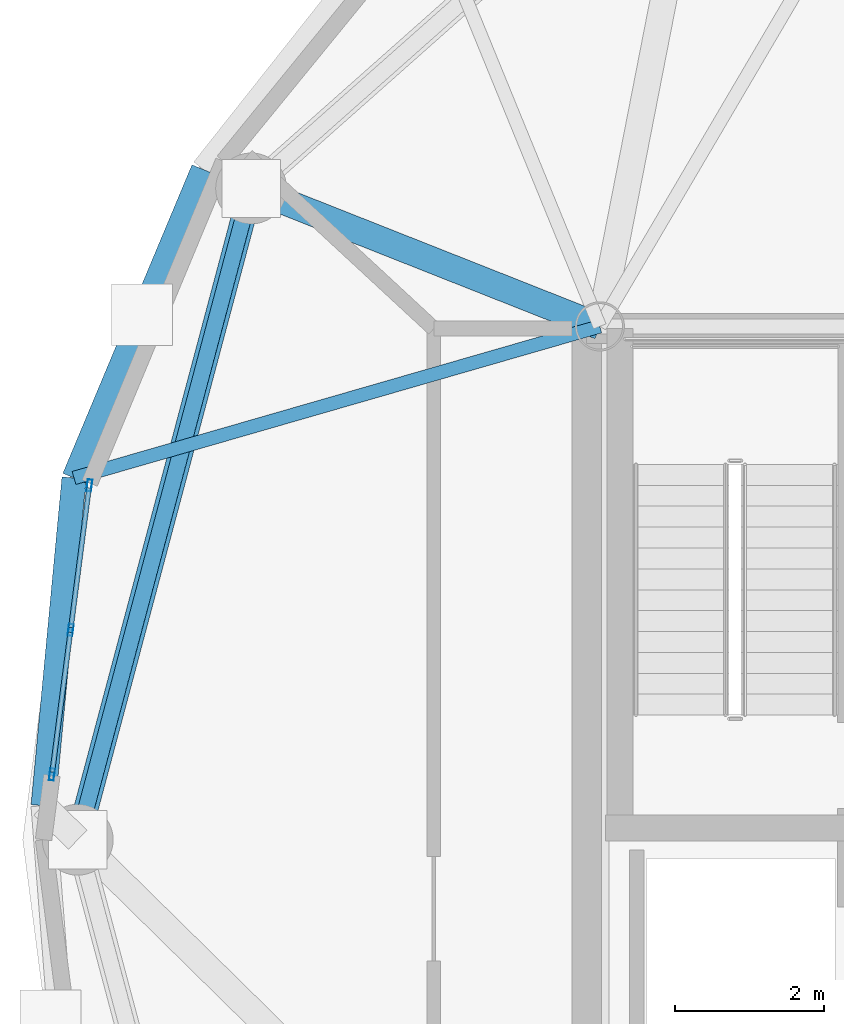
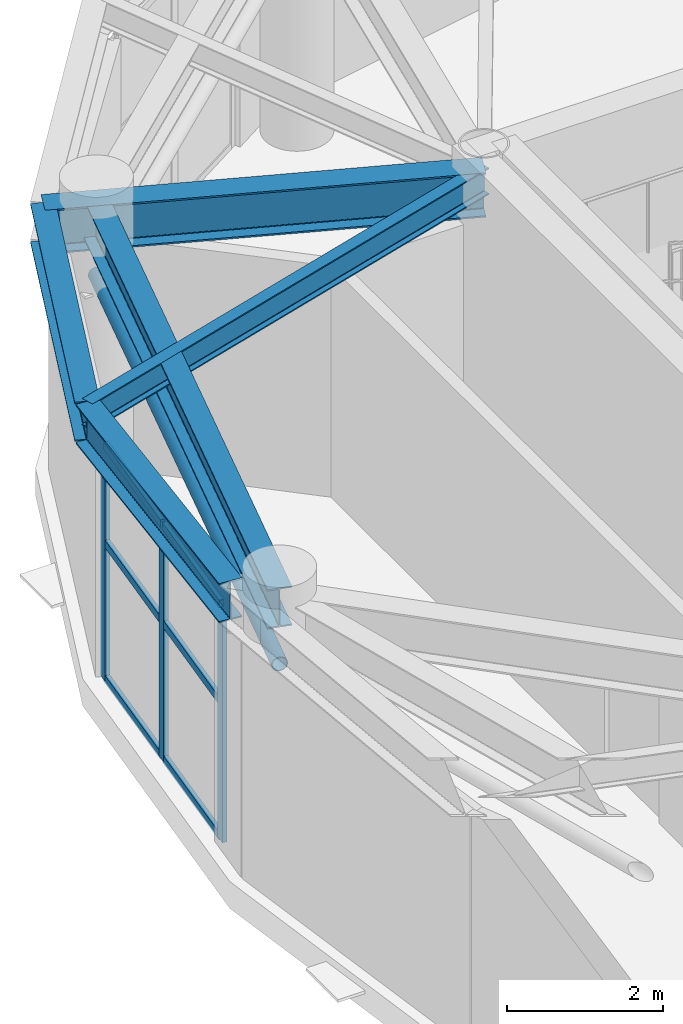
# One storey, part 7 of 28: 10 members, 5 beams, 1 element without a shape of its own.
"""IFC4 building model written with IfcOpenShell, lengths in metres."""

from ifc_helpers import new_model, si_unit, direction, frame, origin, origin_2d, place, context, subcontext, project, spatial, hollow_rectangle, hollow_circle, i_section, extrude, material, layer, layer_set, material_profile, profile_set, type_object, element, aggregate, save


model = new_model("IFC4")

# Units and contexts
model_context = context("Model", 3, precision=1e-05, world=origin(), true_north=direction((0.0, 1.0)))
body_context = subcontext(model_context, "Body", "Model", "MODEL_VIEW")
ifc_project = project(units=[si_unit("LENGTHUNIT", "METRE"), si_unit("AREAUNIT", "SQUARE_METRE"), si_unit("VOLUMEUNIT", "CUBIC_METRE"), si_unit("PLANEANGLEUNIT", "RADIAN"), si_unit("MASSUNIT", "GRAM", prefix="KILO")], contexts=[model_context])

# Site, building, storey
site_placement = place(None, origin())
site = spatial("IfcSite", under=ifc_project, at=site_placement, CompositionType="ELEMENT")
building_placement = place(site_placement, origin())
building = spatial("IfcBuilding", under=site, at=building_placement, Name="Cununo Teusaquillo Station Towers", CompositionType="ELEMENT")
storey_placement = place(building_placement, frame((0.0, 0.0, 235.64990234375)))
storey = spatial("IfcBuildingStorey", under=building, at=storey_placement, Name="L75", CompositionType="ELEMENT", Elevation=235.64990234375)

# Beams
ifc_material_1 = material(Name="Steel ASTM A572 Grade 50", Category="steel")
ifc_material_profile_1 = material_profile(ifc_material_1, i_section(OverallWidth=0.180908203125, OverallDepth=0.4169921875, WebThickness=0.010986328125, FlangeThickness=0.018310546875, FilletRadius=0.012939453125, at=origin_2d()), Name="W16X57")
ifc_profile_set_1 = profile_set([ifc_material_profile_1], Name="Steel ASTM A572 Grade 50")
beam_type_1 = type_object("IfcBeamType", Name="BM-JOIST-1", PredefinedType="JOIST", material=ifc_profile_set_1)
beam_1_placement = place(storey_placement, frame((11.324951171875, 31.3798828125, 4.131591796875), z_axis=(-0.960861603375, -0.277028841748, 0.0), x_axis=(0.277028841748, -0.960861603375, 0.0)))
element("IfcBeam", 1, at=beam_1_placement, inside=storey, type_object=beam_type_1, Name="L75 Tower A Radial Spandrel Joist V09", PredefinedType="JOIST", context=body_context, shape_type="SweptSolid", body=[
    extrude(i_section(OverallWidth=0.180908203125, OverallDepth=0.4169921875, WebThickness=0.010986328125, FlangeThickness=0.018310546875, FilletRadius=0.012939453125, at=origin_2d()), origin(), (0.0, 0.0, 1.0), 7.333251953125),
])
ifc_material_2 = material(Name="Steel ASTM A572 Grade 50", Category="steel")
ifc_material_profile_2 = material_profile(ifc_material_2, i_section(OverallWidth=0.35498046875, OverallDepth=0.696044921875, WebThickness=0.015380859375, FlangeThickness=0.02490234375, FilletRadius=0.01806640625, at=origin_2d()), Name="W27X146")
ifc_profile_set_2 = profile_set([ifc_material_profile_2], Name="Steel ASTM A572 Grade 50")
beam_type_2 = type_object("IfcBeamType", Name="BM-PLNT-G1", PredefinedType="BEAM", material=ifc_profile_set_2)
beam_2_placement = place(storey_placement, frame((11.324951171875, 31.3798828125, 3.9921875), z_axis=(-0.929851670487, 0.36793460138, 0.0), x_axis=(-0.36793460138, -0.929851670487, 0.0)))
element("IfcBeam", 2, at=beam_2_placement, inside=storey, type_object=beam_type_2, Name="L75 Tower A Continuous Overhanging Radial Girder 05", PredefinedType="BEAM", context=body_context, shape_type="SweptSolid", body=[
    extrude(i_section(OverallWidth=0.35498046875, OverallDepth=0.696044921875, WebThickness=0.015380859375, FlangeThickness=0.02490234375, FilletRadius=0.01806640625, at=origin_2d()), origin(), (0.0, 0.0, 1.0), 5.71630859375),
])
ifc_material_3 = material(Name="Steel ASTM A572 Grade 50", Category="steel")
ifc_material_profile_3 = material_profile(ifc_material_3, i_section(OverallWidth=0.324951171875, OverallDepth=0.615966796875, WebThickness=0.013916015625, FlangeThickness=0.021484375, FilletRadius=0.01611328125, at=origin_2d()), Name="W24X117")
ifc_profile_set_3 = profile_set([ifc_material_profile_3], Name="Steel ASTM A572 Grade 50")
beam_type_3 = type_object("IfcBeamType", Name="BM-PLNT-G2", PredefinedType="BEAM", material=ifc_profile_set_3)
beam_3_placement = place(storey_placement, frame((6.652587890625, 33.228515625, 4.031982421875), z_axis=(-0.257363196347, -0.966314744359, 0.0), x_axis=(0.966314744359, -0.257363196347, 0.0)))
element("IfcBeam", 3, at=beam_3_placement, inside=storey, type_object=beam_type_3, Name="L75 Tower A Structural Column Ring Girder 05", PredefinedType="BEAM", context=body_context, shape_type="SweptSolid", body=[
    extrude(i_section(OverallWidth=0.324951171875, OverallDepth=0.615966796875, WebThickness=0.013916015625, FlangeThickness=0.021484375, FilletRadius=0.01611328125, at=origin_2d()), origin(), (0.0, 0.0, 1.0), 9.03271484375),
])
beam_4_placement = place(storey_placement, frame((6.009521484375, 33.483154296875, 4.031982421875), z_axis=(-0.386115454066, -0.922450462698, 0.0), x_axis=(0.922450462698, -0.386115454066, 0.0)))
element("IfcBeam", 4, at=beam_4_placement, inside=storey, type_object=beam_type_3, Name="L75 Tower A Spandrel Ring Beam 09", PredefinedType="BEAM", context=body_context, shape_type="SweptSolid", body=[
    extrude(i_section(OverallWidth=0.324951171875, OverallDepth=0.615966796875, WebThickness=0.013916015625, FlangeThickness=0.021484375, FilletRadius=0.01611328125, at=origin_2d()), origin(), (0.0, 0.0, 1.0), 4.482421875),
])
beam_5_placement = place(storey_placement, frame((4.27880859375, 29.348388671875, 4.031982421875), z_axis=(-0.093902932611, -0.995581357422, 0.0), x_axis=(0.995581357422, -0.093902932611, 0.0)))
element("IfcBeam", 5, at=beam_5_placement, inside=storey, type_object=beam_type_3, Name="L75 Tower A Spandrel Ring Beam 10", PredefinedType="BEAM", context=body_context, shape_type="SweptSolid", body=[
    extrude(i_section(OverallWidth=0.324951171875, OverallDepth=0.615966796875, WebThickness=0.013916015625, FlangeThickness=0.021484375, FilletRadius=0.01611328125, at=origin_2d()), origin(), (0.0, 0.0, 1.0), 4.412109375),
])

# Curtain wall, members
ifc_material_4 = material(Name="Ceramic-fritted dark low-E double glazing", Category="glass")
ifc_layer = layer(ifc_material_4, 0.179931640625)
ifc_layer_set = layer_set([ifc_layer], Name="Ceramic-fritted dark low-E double glazing")
curtain_wall_type = type_object("IfcCurtainWallType", Name="CW-SYS-08", PredefinedType="USERDEFINED", material=ifc_layer_set)
curtain_wall_placement = place(storey_placement, origin())
curtain_wall = element("IfcCurtainWall", 6, at=curtain_wall_placement, inside=storey, type_object=curtain_wall_type, Name="L75 Tower A Crown Drum Glazed Screen C09", ObjectType="FRITTED GLAZING", PredefinedType="USERDEFINED")
ifc_material_5 = material(Name="Anodised dark bronze aluminium EN AW-6063-T6", Category="aluminium")
ifc_material_profile_4 = material_profile(ifc_material_5, hollow_rectangle(XDim=0.06494140625, YDim=0.159912109375, WallThickness=0.00390625, at=origin_2d()), Name="CW-MULL-65x160")
ifc_profile_set_4 = profile_set([ifc_material_profile_4], Name="Anodised dark bronze aluminium EN AW-6063-T6")
member_type_1 = type_object("IfcMemberType", Name="CWM-160", PredefinedType="MULLION", material=ifc_profile_set_4)
member_1_placement = place(storey_placement, frame((3.983154296875, 25.375244140625, 0.0), z_axis=(0.0, 0.0, 1.0), x_axis=(-0.991741528461, 0.12825264413, 0.0)))
member_1 = element("IfcMember", 7, at=member_1_placement, type_object=member_type_1, Name="CW-08 mullion 1", PredefinedType="MULLION", context=body_context, shape_type="SweptSolid", body=[
    extrude(hollow_rectangle(XDim=0.06494140625, YDim=0.159912109375, WallThickness=0.00390625, at=origin_2d()), origin(), (0.0, 0.0, 1.0), 3.696044921875),
])
member_2_placement = place(storey_placement, frame((4.233642578125, 27.311767578125, 0.0), z_axis=(0.0, 0.0, 1.0), x_axis=(-0.991741528461, 0.12825264413, 0.0)))
member_2 = element("IfcMember", 8, at=member_2_placement, type_object=member_type_1, Name="CW-08 mullion 2", PredefinedType="MULLION", context=body_context, shape_type="SweptSolid", body=[
    extrude(hollow_rectangle(XDim=0.06494140625, YDim=0.159912109375, WallThickness=0.00390625, at=origin_2d()), origin(), (0.0, 0.0, 1.0), 3.696044921875),
])
member_3_placement = place(storey_placement, frame((4.484130859375, 29.248291015625, 0.0), z_axis=(0.0, 0.0, 1.0), x_axis=(-0.991741528461, 0.12825264413, 0.0)))
member_3 = element("IfcMember", 9, at=member_3_placement, type_object=member_type_1, Name="CW-08 mullion 3", PredefinedType="MULLION", context=body_context, shape_type="SweptSolid", body=[
    extrude(hollow_rectangle(XDim=0.06494140625, YDim=0.159912109375, WallThickness=0.00390625, at=origin_2d()), origin(), (0.0, 0.0, 1.0), 3.696044921875),
])
ifc_material_6 = material(Name="Anodised dark bronze aluminium EN AW-6063-T6", Category="aluminium")
ifc_material_profile_5 = material_profile(ifc_material_6, hollow_rectangle(XDim=0.06494140625, YDim=0.1201171875, WallThickness=0.00390625, at=origin_2d()), Name="CW-TRAN-65x120")
ifc_profile_set_5 = profile_set([ifc_material_profile_5], Name="Anodised dark bronze aluminium EN AW-6063-T6")
member_type_2 = type_object("IfcMemberType", Name="CWT-120", PredefinedType="USERDEFINED", material=ifc_profile_set_5)
member_4_placement = place(storey_placement, frame((3.9873046875, 25.407470703125, 0.03271484375), z_axis=(0.128299630595, 0.99173545101, 0.0), x_axis=(-0.99173545101, 0.128299630595, 0.0)))
member_4 = element("IfcMember", 10, at=member_4_placement, type_object=member_type_2, Name="CW-08 transom 1.1", ObjectType="TRANSOM", PredefinedType="USERDEFINED", context=body_context, shape_type="SweptSolid", body=[
    extrude(hollow_rectangle(XDim=0.06494140625, YDim=0.1201171875, WallThickness=0.00390625, at=origin_2d()), origin(), (0.0, 0.0, 1.0), 1.8876953125),
])
member_5_placement = place(storey_placement, frame((3.9873046875, 25.407470703125, 2.150146484375), z_axis=(0.128299630595, 0.99173545101, 0.0), x_axis=(-0.99173545101, 0.128299630595, 0.0)))
member_5 = element("IfcMember", 11, at=member_5_placement, type_object=member_type_2, Name="CW-08 transom 1.2", ObjectType="TRANSOM", PredefinedType="USERDEFINED", context=body_context, shape_type="SweptSolid", body=[
    extrude(hollow_rectangle(XDim=0.06494140625, YDim=0.1201171875, WallThickness=0.00390625, at=origin_2d()), origin(), (0.0, 0.0, 1.0), 1.8876953125),
])
member_6_placement = place(storey_placement, frame((3.9873046875, 25.407470703125, 3.66357421875), z_axis=(0.128299630595, 0.99173545101, 0.0), x_axis=(-0.99173545101, 0.128299630595, 0.0)))
member_6 = element("IfcMember", 12, at=member_6_placement, type_object=member_type_2, Name="CW-08 transom 1.3", ObjectType="TRANSOM", PredefinedType="USERDEFINED", context=body_context, shape_type="SweptSolid", body=[
    extrude(hollow_rectangle(XDim=0.06494140625, YDim=0.1201171875, WallThickness=0.00390625, at=origin_2d()), origin(), (0.0, 0.0, 1.0), 1.8876953125),
])
member_7_placement = place(storey_placement, frame((4.23779296875, 27.343994140625, 0.03271484375), z_axis=(0.128299630595, 0.99173545101, 0.0), x_axis=(-0.99173545101, 0.128299630595, 0.0)))
member_7 = element("IfcMember", 13, at=member_7_placement, type_object=member_type_2, Name="CW-08 transom 2.1", ObjectType="TRANSOM", PredefinedType="USERDEFINED", context=body_context, shape_type="SweptSolid", body=[
    extrude(hollow_rectangle(XDim=0.06494140625, YDim=0.1201171875, WallThickness=0.00390625, at=origin_2d()), origin(), (0.0, 0.0, 1.0), 1.8876953125),
])
member_8_placement = place(storey_placement, frame((4.23779296875, 27.343994140625, 2.150146484375), z_axis=(0.128299630595, 0.99173545101, 0.0), x_axis=(-0.99173545101, 0.128299630595, 0.0)))
member_8 = element("IfcMember", 14, at=member_8_placement, type_object=member_type_2, Name="CW-08 transom 2.2", ObjectType="TRANSOM", PredefinedType="USERDEFINED", context=body_context, shape_type="SweptSolid", body=[
    extrude(hollow_rectangle(XDim=0.06494140625, YDim=0.1201171875, WallThickness=0.00390625, at=origin_2d()), origin(), (0.0, 0.0, 1.0), 1.8876953125),
])
member_9_placement = place(storey_placement, frame((4.23779296875, 27.343994140625, 3.66357421875), z_axis=(0.128299630595, 0.99173545101, 0.0), x_axis=(-0.99173545101, 0.128299630595, 0.0)))
member_9 = element("IfcMember", 15, at=member_9_placement, type_object=member_type_2, Name="CW-08 transom 2.3", ObjectType="TRANSOM", PredefinedType="USERDEFINED", context=body_context, shape_type="SweptSolid", body=[
    extrude(hollow_rectangle(XDim=0.06494140625, YDim=0.1201171875, WallThickness=0.00390625, at=origin_2d()), origin(), (0.0, 0.0, 1.0), 1.8876953125),
])
aggregate(curtain_wall, [member_1, member_2, member_3, member_4, member_5, member_6, member_7, member_8, member_9])

# Member
ifc_material_7 = material(Name="Steel EN 10025-2 S355J2", Category="steel")
ifc_material_profile_6 = material_profile(ifc_material_7, hollow_circle(Radius=0.109619140625, WallThickness=0.010009765625, at=origin_2d()), Name="CHS 219x10")
ifc_profile_set_6 = profile_set([ifc_material_profile_6], Name="Steel EN 10025-2 S355J2")
member_type_3 = type_object("IfcMemberType", Name="MBR-DRUM-COL", PredefinedType="COLLAR", material=ifc_profile_set_6)
member_10_placement = place(storey_placement, frame((6.652587890625, 33.228515625, 3.150146484375), z_axis=(-0.257363196347, -0.966314744359, 0.0), x_axis=(0.966314744359, -0.257363196347, 0.0)))
element("IfcMember", 16, at=member_10_placement, inside=storey, type_object=member_type_3, Name="L75 Tower A Crown Drum Collar 05", PredefinedType="COLLAR", context=body_context, shape_type="SweptSolid", body=[
    extrude(hollow_circle(Radius=0.109619140625, WallThickness=0.010009765625, at=origin_2d()), origin(), (0.0, 0.0, 1.0), 9.03271484375),
])

save(model, "model.ifc")
